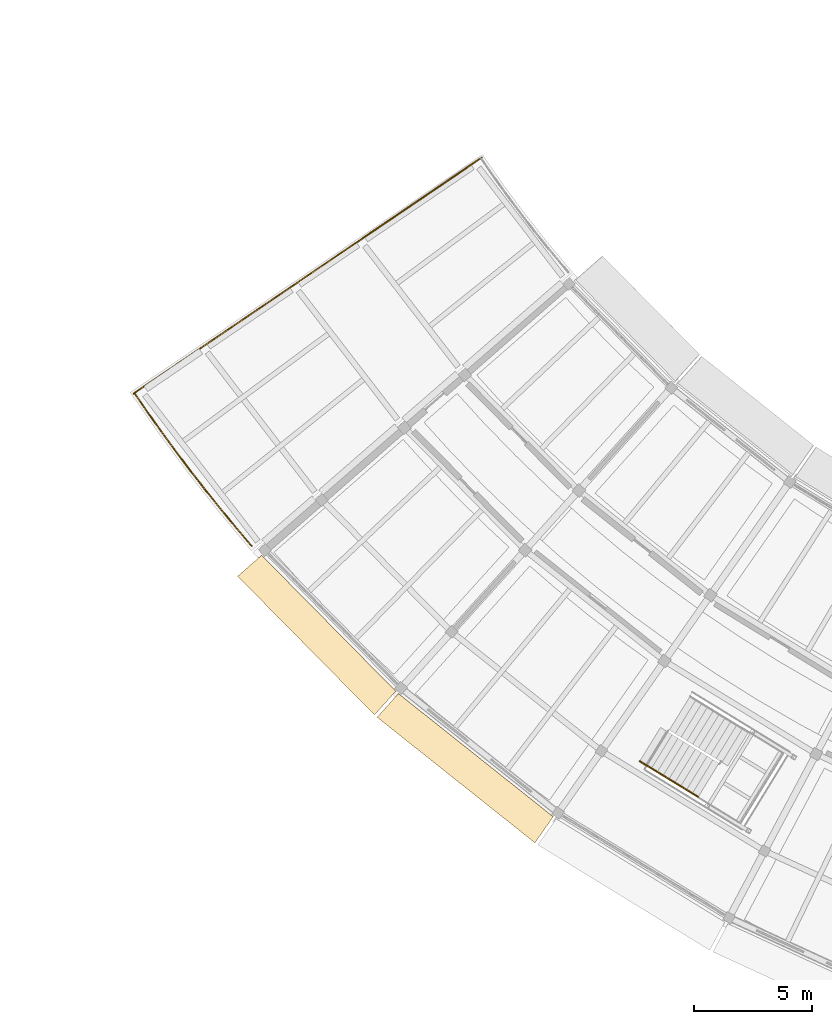
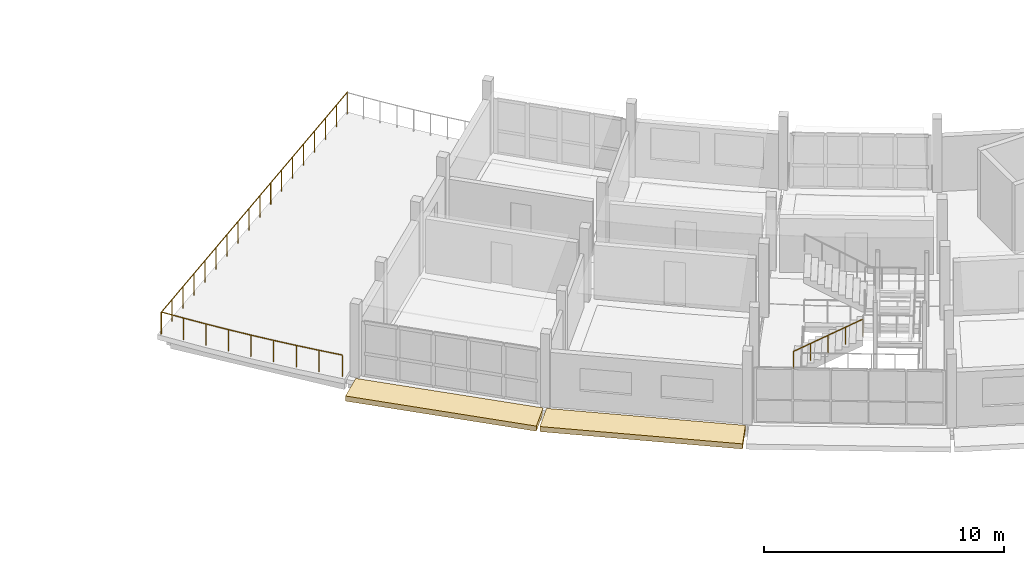
# One storey, part 60 of 66: 3 railings, 2 coverings.
"""IFC4 building model written with IfcOpenShell, lengths in metres."""

from ifc_helpers import new_model, si_unit, direction, frame, origin, origin_2d, place, context, subcontext, project, spatial, polyline, circle, outline, extrude, material, layer, layer_set, type_object, element, save


model = new_model("IFC4")

# Units and contexts
model_context = context("Model", 3, precision=1e-05, world=origin(), true_north=direction((0.0, 1.0)))
body_context = subcontext(model_context, "Body", "Model", "MODEL_VIEW")
ifc_project = project(units=[si_unit("LENGTHUNIT", "METRE"), si_unit("AREAUNIT", "SQUARE_METRE"), si_unit("VOLUMEUNIT", "CUBIC_METRE"), si_unit("PLANEANGLEUNIT", "RADIAN"), si_unit("MASSUNIT", "GRAM", prefix="KILO")], contexts=[model_context])

# Site, building, storey
site_placement = place(None, origin())
site = spatial("IfcSite", under=ifc_project, at=site_placement, CompositionType="ELEMENT")
building_placement = place(site_placement, origin())
building = spatial("IfcBuilding", under=site, at=building_placement, Name="Caldaven Crescent School", CompositionType="ELEMENT")
storey_placement = place(building_placement, frame((0.0, 0.0, 8.159912109375)))
storey = spatial("IfcBuildingStorey", under=building, at=storey_placement, Name="L02", CompositionType="ELEMENT", Elevation=8.159912109375)

# Coverings
ifc_material_1 = material(Name="White architectural GFRC precast concrete C35/45 cladding", Category="concrete")
ifc_layer = layer(ifc_material_1, 0.260009765625)
ifc_layer_set = layer_set([ifc_layer], Name="White architectural GFRC precast concrete C35/45 cladding")
covering_type = type_object("IfcCoveringType", Name="COV-CLD2", PredefinedType="CLADDING", material=ifc_layer_set)
covering_1_placement = place(storey_placement, frame((0.0, 0.0, -0.260009765625)))
element("IfcCovering", 1, at=covering_1_placement, inside=storey, type_object=covering_type, Name="CLD-OUT-L02-034", PredefinedType="CLADDING", context=body_context, shape_type="SweptSolid", body=[
    extrude(outline(polyline([(35.5576171875, 49.9365234375), (41.240478515625, 44.177490234375), (40.3359375, 43.175048828125), (34.543212890625, 49.045654296875), (35.5576171875, 49.9365234375)])), origin(), (0.0, 0.0, 1.0), 0.260009765625),
])
covering_2_placement = place(storey_placement, frame((0.0, 0.0, -0.260009765625)))
element("IfcCovering", 2, at=covering_2_placement, inside=storey, type_object=covering_type, Name="CLD-OUT-L02-036", PredefinedType="CLADDING", context=body_context, shape_type="SweptSolid", body=[
    extrude(outline(polyline([(41.34912109375, 44.07958984375), (47.904541015625, 38.865234375), (47.12890625, 37.760009765625), (40.44677734375, 43.075439453125), (41.34912109375, 44.07958984375)])), origin(), (0.0, 0.0, 1.0), 0.260009765625),
])

# Railings
ifc_material_2 = material(Name="Galvanised powder-coated steel balustrade ASTM A572 Grade 50", Category="steel")
railing_type_1 = type_object("IfcRailingType", Name="RAL-EXT2", PredefinedType="BALUSTRADE", material=ifc_material_2)
railing_1_placement = place(storey_placement, frame((30.17333984375, 56.802001953125, 0.0)))
element("IfcRailing", 3, at=railing_1_placement, inside=storey, type_object=railing_type_1, Name="GD-PD-L02-W-OUT", PredefinedType="BALUSTRADE", context=body_context, shape_type="SweptSolid", body=[
    extrude(circle(Radius=0.02392578125, at=origin_2d()), frame((0.0, 0.0, 1.09619140625), z_axis=(0.567016514739, -0.823706423438, 0.0), x_axis=(0.823706423438, 0.567016514739, 0.0)), (0.0, 0.0, 1.0), 1.01953125),
    extrude(circle(Radius=0.02392578125, at=origin_2d()), frame((0.578125, -0.83984375, 1.09619140625), z_axis=(0.579152702639, -0.815219079159, 0.0), x_axis=(0.815219079159, 0.579152702639, 0.0)), (0.0, 0.0, 1.0), 1.019775390625),
    extrude(circle(Radius=0.02392578125, at=origin_2d()), frame((1.168701171875, -1.671142578125, 1.09619140625), z_axis=(0.59080288291, -0.806815935356, 0.0), x_axis=(0.806815935356, 0.59080288291, 0.0)), (0.0, 0.0, 1.0), 1.01953125),
    extrude(circle(Radius=0.02392578125, at=origin_2d()), frame((1.77099609375, -2.49365234375, 1.09619140625), z_axis=(0.602640008806, -0.798013170183, 0.0), x_axis=(0.798013170183, 0.602640008806, 0.0)), (0.0, 0.0, 1.0), 1.019775390625),
    extrude(circle(Radius=0.02392578125, at=origin_2d()), frame((2.385498046875, -3.307373046875, 1.09619140625), z_axis=(0.614156083999, -0.789184582013, 0.0), x_axis=(0.789184582013, 0.614156083999, 0.0)), (0.0, 0.0, 1.0), 1.01953125),
    extrude(circle(Radius=0.02392578125, at=origin_2d()), frame((3.01171875, -4.112060546875, 1.09619140625), z_axis=(0.625658174155, -0.780097333102, 0.0), x_axis=(0.780097333102, 0.625658174155, 0.0)), (0.0, 0.0, 1.0), 1.01953125),
    extrude(circle(Radius=0.02392578125, at=origin_2d()), frame((3.649658203125, -4.907470703125, 1.09619140625), z_axis=(0.637141293888, -0.770747021806, 0.0), x_axis=(0.770747021806, 0.637141293888, 0.0)), (0.0, 0.0, 1.0), 1.01953125),
    extrude(circle(Radius=0.02392578125, at=origin_2d()), frame((4.29931640625, -5.693359375, 1.09619140625), z_axis=(0.648204311164, -0.761466460843, 0.0), x_axis=(0.761466460843, 0.648204311164, 0.0)), (0.0, 0.0, 1.0), 1.01953125),
    extrude(circle(Radius=0.02099609375, at=origin_2d()), origin(), (0.0, 0.0, 1.0), 1.072021484375),
    extrude(circle(Radius=0.02099609375, at=origin_2d()), frame((0.578125, -0.83984375, 0.0)), (0.0, 0.0, 1.0), 1.072021484375),
    extrude(circle(Radius=0.02099609375, at=origin_2d()), frame((1.168701171875, -1.671142578125, 0.0)), (0.0, 0.0, 1.0), 1.072021484375),
    extrude(circle(Radius=0.02099609375, at=origin_2d()), frame((1.77099609375, -2.49365234375, 0.0)), (0.0, 0.0, 1.0), 1.072021484375),
    extrude(circle(Radius=0.02099609375, at=origin_2d()), frame((2.385498046875, -3.307373046875, 0.0)), (0.0, 0.0, 1.0), 1.072021484375),
    extrude(circle(Radius=0.02099609375, at=origin_2d()), frame((3.01171875, -4.112060546875, 0.0)), (0.0, 0.0, 1.0), 1.072021484375),
    extrude(circle(Radius=0.02099609375, at=origin_2d()), frame((3.649658203125, -4.907470703125, 0.0)), (0.0, 0.0, 1.0), 1.072021484375),
    extrude(circle(Radius=0.02099609375, at=origin_2d()), frame((4.29931640625, -5.693359375, 0.0)), (0.0, 0.0, 1.0), 1.072021484375),
    extrude(circle(Radius=0.02099609375, at=origin_2d()), frame((4.960205078125, -6.4697265625, 0.0)), (0.0, 0.0, 1.0), 1.072021484375),
])
railing_2_placement = place(storey_placement, frame((44.8740234375, 66.76708984375, 0.0)))
element("IfcRailing", 4, at=railing_2_placement, inside=storey, type_object=railing_type_1, Name="GD-PD-L02-W-END", PredefinedType="BALUSTRADE", context=body_context, shape_type="SweptSolid", body=[
    extrude(circle(Radius=0.02392578125, at=origin_2d()), frame((0.0, 0.0, 1.09619140625), z_axis=(-0.827748339685, -0.561099533193, 0.0), x_axis=(0.561099533193, -0.827748339685, 0.0)), (0.0, 0.0, 1.0), 17.800048828125),
    extrude(circle(Radius=0.02099609375, at=origin_2d()), origin(), (0.0, 0.0, 1.0), 1.072021484375),
    extrude(circle(Radius=0.02099609375, at=origin_2d()), frame((-0.86669921875, -0.58740234375, 0.0)), (0.0, 0.0, 1.0), 1.072021484375),
    extrude(circle(Radius=0.02099609375, at=origin_2d()), frame((-1.7333984375, -1.175048828125, 0.0)), (0.0, 0.0, 1.0), 1.072021484375),
    extrude(circle(Radius=0.02099609375, at=origin_2d()), frame((-2.60009765625, -1.762451171875, 0.0)), (0.0, 0.0, 1.0), 1.072021484375),
    extrude(circle(Radius=0.02099609375, at=origin_2d()), frame((-3.466796875, -2.35009765625, 0.0)), (0.0, 0.0, 1.0), 1.072021484375),
    extrude(circle(Radius=0.02099609375, at=origin_2d()), frame((-4.33349609375, -2.9375, 0.0)), (0.0, 0.0, 1.0), 1.072021484375),
    extrude(circle(Radius=0.02099609375, at=origin_2d()), frame((-5.2001953125, -3.52490234375, 0.0)), (0.0, 0.0, 1.0), 1.072021484375),
    extrude(circle(Radius=0.02099609375, at=origin_2d()), frame((-6.06689453125, -4.112548828125, 0.0)), (0.0, 0.0, 1.0), 1.072021484375),
    extrude(circle(Radius=0.02099609375, at=origin_2d()), frame((-6.93359375, -4.699951171875, 0.0)), (0.0, 0.0, 1.0), 1.072021484375),
    extrude(circle(Radius=0.02099609375, at=origin_2d()), frame((-7.80029296875, -5.28759765625, 0.0)), (0.0, 0.0, 1.0), 1.072021484375),
    extrude(circle(Radius=0.02099609375, at=origin_2d()), frame((-8.6669921875, -5.875, 0.0)), (0.0, 0.0, 1.0), 1.072021484375),
    extrude(circle(Radius=0.02099609375, at=origin_2d()), frame((-9.53369140625, -6.462646484375, 0.0)), (0.0, 0.0, 1.0), 1.072021484375),
    extrude(circle(Radius=0.02099609375, at=origin_2d()), frame((-10.400390625, -7.050048828125, 0.0)), (0.0, 0.0, 1.0), 1.072021484375),
    extrude(circle(Radius=0.02099609375, at=origin_2d()), frame((-11.26708984375, -7.637451171875, 0.0)), (0.0, 0.0, 1.0), 1.072021484375),
    extrude(circle(Radius=0.02099609375, at=origin_2d()), frame((-12.1337890625, -8.22509765625, 0.0)), (0.0, 0.0, 1.0), 1.072021484375),
    extrude(circle(Radius=0.02099609375, at=origin_2d()), frame((-13.00048828125, -8.8125, 0.0)), (0.0, 0.0, 1.0), 1.072021484375),
    extrude(circle(Radius=0.02099609375, at=origin_2d()), frame((-13.8671875, -9.400146484375, 0.0)), (0.0, 0.0, 1.0), 1.072021484375),
    extrude(circle(Radius=0.02099609375, at=origin_2d()), frame((-14.73388671875, -9.987548828125, 0.0)), (0.0, 0.0, 1.0), 1.072021484375),
])
ifc_material_3 = material(Name="Brushed stainless-steel continuous tubular handrail", Category="steel")
railing_type_2 = type_object("IfcRailingType", Name="RAL-HR2", PredefinedType="HANDRAIL", material=ifc_material_3)
railing_3_placement = place(storey_placement, frame((51.56787109375, 41.218017578125, 0.173095703125)))
element("IfcRailing", 5, at=railing_3_placement, inside=storey, type_object=railing_type_2, Name="HR-ST1-L02-F1", PredefinedType="HANDRAIL", context=body_context, shape_type="SweptSolid", body=[
    extrude(circle(Radius=0.02392578125, at=origin_2d()), frame((0.0, 0.0, 0.8759765625), z_axis=(0.735587074415, -0.450735918624, 0.50571611366), x_axis=(0.522471243916, 0.85265690596, 0.0)), (0.0, 0.0, 1.0), 3.361572265625),
    extrude(circle(Radius=0.02099609375, at=origin_2d()), origin(), (0.0, 0.0, 1.0), 0.851806640625),
    extrude(circle(Radius=0.02099609375, at=origin_2d()), frame((0.6181640625, -0.37890625, 0.425048828125)), (0.0, 0.0, 1.0), 0.851806640625),
    extrude(circle(Radius=0.02099609375, at=origin_2d()), frame((1.236328125, -0.757568359375, 0.85009765625)), (0.0, 0.0, 1.0), 0.851806640625),
    extrude(circle(Radius=0.02099609375, at=origin_2d()), frame((1.8544921875, -1.13623046875, 1.27490234375)), (0.0, 0.0, 1.0), 0.851806640625),
    extrude(circle(Radius=0.02099609375, at=origin_2d()), frame((2.47265625, -1.51513671875, 1.699951171875)), (0.0, 0.0, 1.0), 0.851806640625),
])

save(model, "model.ifc")
